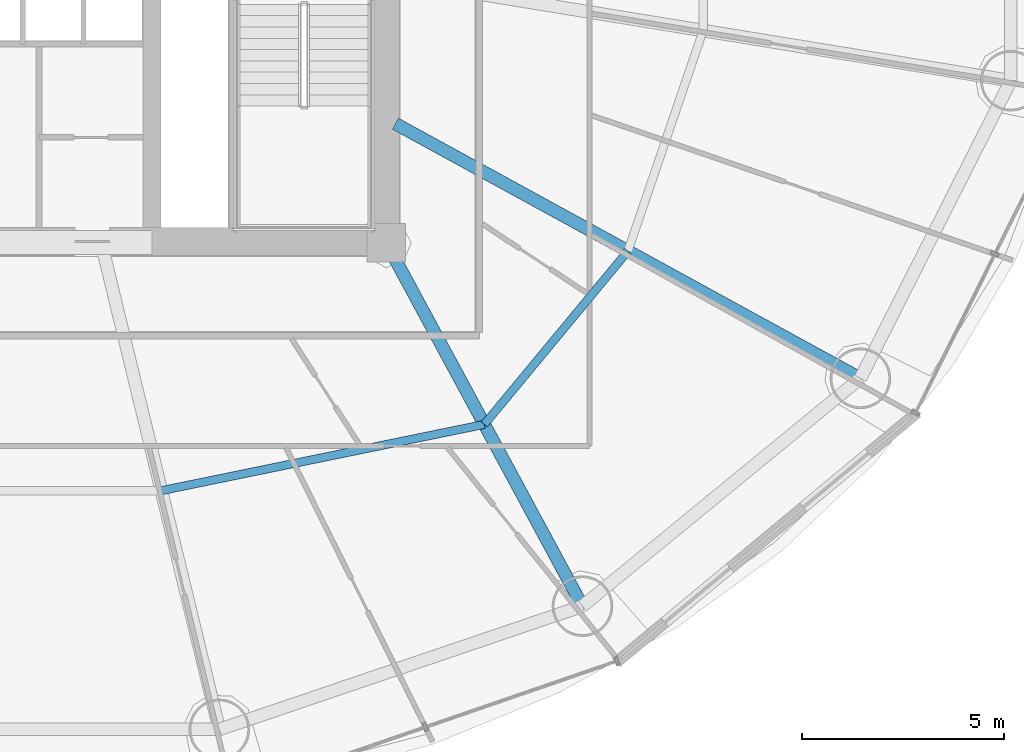
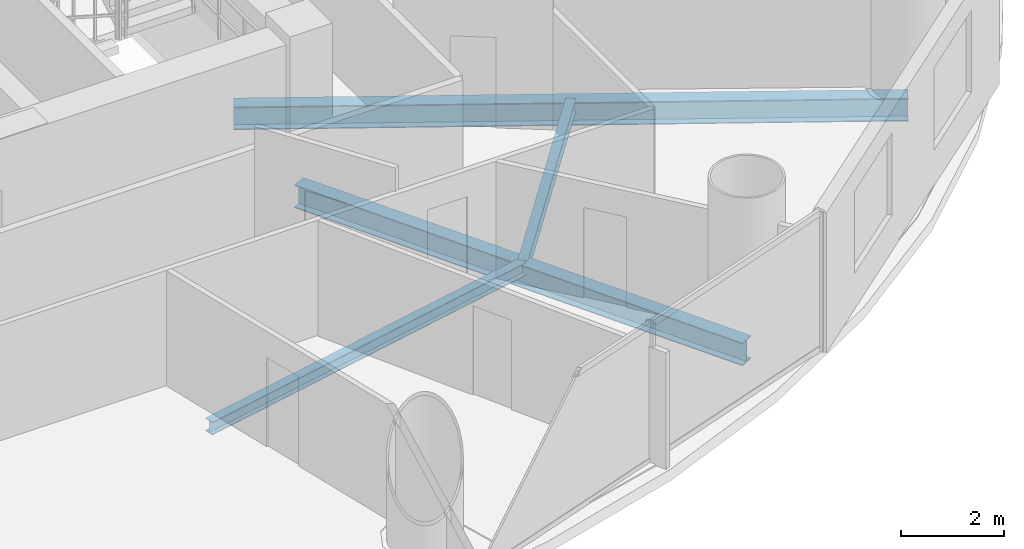
# One storey, part 12 of 29: 4 beams.
"""IFC4 building model written with IfcOpenShell, lengths in metres."""

from ifc_helpers import new_model, si_unit, direction, frame, origin, origin_2d, place, context, subcontext, project, spatial, i_section, extrude, material, material_profile, profile_set, type_object, element, save


model = new_model("IFC4")

# Units and contexts
model_context = context("Model", 3, precision=1e-05, world=origin(), true_north=direction((-0.2419218956, 0.970295726276)))
body_context = subcontext(model_context, "Body", "Model", "MODEL_VIEW")
ifc_project = project(units=[si_unit("LENGTHUNIT", "METRE"), si_unit("AREAUNIT", "SQUARE_METRE"), si_unit("VOLUMEUNIT", "CUBIC_METRE"), si_unit("PLANEANGLEUNIT", "RADIAN"), si_unit("MASSUNIT", "GRAM", prefix="KILO")], contexts=[model_context])

# Site, building, storey
site_placement = place(None, origin())
site = spatial("IfcSite", under=ifc_project, at=site_placement, CompositionType="ELEMENT")
building_placement = place(site_placement, origin())
building = spatial("IfcBuilding", under=site, at=building_placement, Name="Cobrevalo Terracotta Tower", CompositionType="ELEMENT")
storey_placement = place(building_placement, frame((0.0, 0.0, 115.800048828125)))
storey = spatial("IfcBuildingStorey", under=building, at=storey_placement, Name="L30", CompositionType="ELEMENT", Elevation=115.800048828125)

# Beams
ifc_material = material(Name="Steel S355", Category="steel")
ifc_material_profile_1 = material_profile(ifc_material, i_section(OverallWidth=0.31201171875, OverallDepth=0.54296875, WebThickness=0.0126953125, FlangeThickness=0.020263671875, at=origin_2d()), Name="W 530x150")
ifc_profile_set_1 = profile_set([ifc_material_profile_1], Name="Steel S355")
beam_type_1 = type_object("IfcBeamType", Name="Structural Beam W 530x150 (Steel S355)", PredefinedType="BEAM", material=ifc_profile_set_1)
beam_1_placement = place(storey_placement, frame((51.861572265625, 9.79638671875, -0.546630859375), z_axis=(-0.475118249298, 0.879921956303, 0.0), x_axis=(-0.879921956303, -0.475118249298, 0.0)))
element("IfcBeam", 1, at=beam_1_placement, inside=storey, type_object=beam_type_1, Name="L30 radial floor girder 14", PredefinedType="BEAM", context=body_context, shape_type="SweptSolid", body=[
    extrude(i_section(OverallWidth=0.31201171875, OverallDepth=0.54296875, WebThickness=0.0126953125, FlangeThickness=0.020263671875, at=origin_2d()), origin(), (0.0, 0.0, 1.0), 10.232421875),
])
beam_2_placement = place(storey_placement, frame((58.7451171875, 15.4384765625, -0.546630859375), z_axis=(-0.877072765004, 0.480357538599, 0.0), x_axis=(-0.480357538599, -0.877072765004, 0.0)))
element("IfcBeam", 2, at=beam_2_placement, inside=storey, type_object=beam_type_1, Name="L30 radial floor girder 15", PredefinedType="BEAM", context=body_context, shape_type="SweptSolid", body=[
    extrude(i_section(OverallWidth=0.31201171875, OverallDepth=0.54296875, WebThickness=0.0126953125, FlangeThickness=0.020263671875, at=origin_2d()), origin(), (0.0, 0.0, 1.0), 13.129150390625),
])
ifc_material_profile_2 = material_profile(ifc_material, i_section(OverallWidth=0.2041015625, OverallDepth=0.305908203125, WebThickness=0.008544921875, FlangeThickness=0.0146484375, at=origin_2d()), Name="W 310x67")
ifc_profile_set_2 = profile_set([ifc_material_profile_2], Name="Steel S355")
beam_type_2 = type_object("IfcBeamType", Name="Structural Joist W 310x67 (Steel S355)", PredefinedType="JOIST", material=ifc_profile_set_2)
beam_3_placement = place(storey_placement, frame((41.432373046875, 12.656494140625, -0.427978515625), z_axis=(0.979574469315, 0.201081722357, 0.0), x_axis=(-0.201081722357, 0.979574469315, 0.0)))
element("IfcBeam", 3, at=beam_3_placement, inside=storey, type_object=beam_type_2, Name="L30 circumferential secondary floor joist 13", PredefinedType="JOIST", context=body_context, shape_type="SweptSolid", body=[
    extrude(i_section(OverallWidth=0.2041015625, OverallDepth=0.305908203125, WebThickness=0.008544921875, FlangeThickness=0.0146484375, at=origin_2d()), origin(), (0.0, 0.0, 1.0), 8.1650390625),
])
beam_4_placement = place(storey_placement, frame((49.4306640625, 14.29833984375, -0.427978515625), z_axis=(0.6379592588, 0.77007011636, 0.0), x_axis=(-0.77007011636, 0.6379592588, 0.0)))
element("IfcBeam", 4, at=beam_4_placement, inside=storey, type_object=beam_type_2, Name="L30 circumferential secondary floor joist 14", PredefinedType="JOIST", context=body_context, shape_type="SweptSolid", body=[
    extrude(i_section(OverallWidth=0.2041015625, OverallDepth=0.305908203125, WebThickness=0.008544921875, FlangeThickness=0.0146484375, at=origin_2d()), origin(), (0.0, 0.0, 1.0), 5.575439453125),
])

save(model, "model.ifc")
